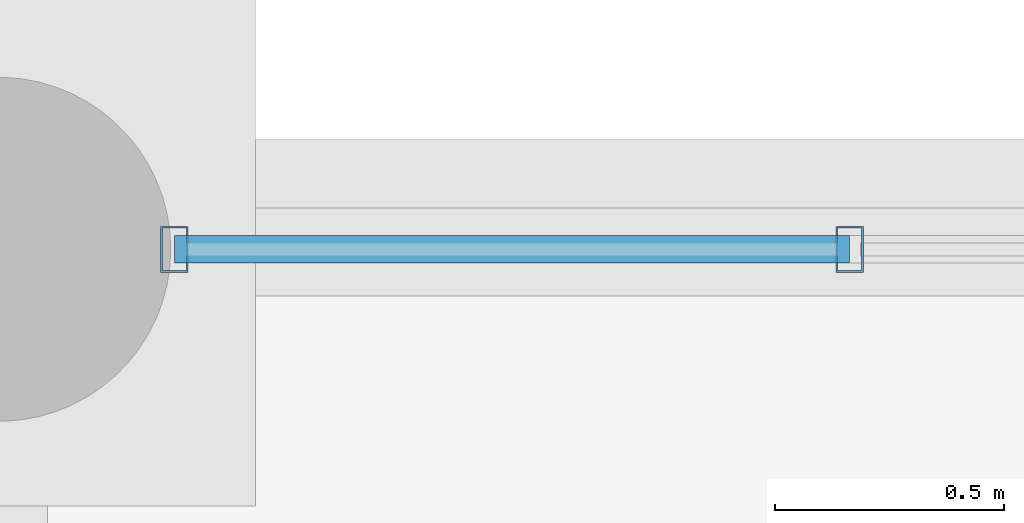
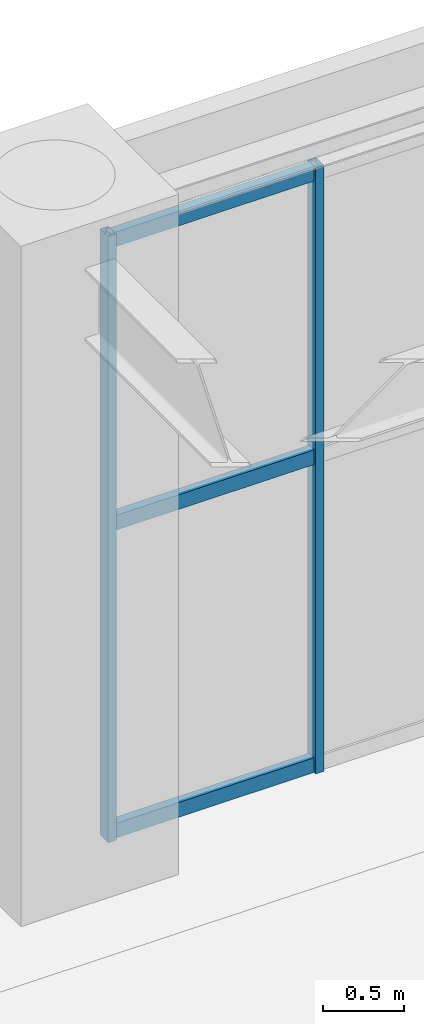
# One storey, part 66 of 174: 5 members, 1 element without a shape of its own.
"""IFC4 building model written with IfcOpenShell, lengths in metres."""

import ifcopenshell
import ifcopenshell.guid

model = None  # the IFC model being written
_history = None  # IfcOwnerHistory: only IFC2X3 demands one
_inside = {}  # id of a spatial element -> (the spatial element, [elements in it])
_under = {}  # id of a project, library or spatial element -> (it, [spatial elements below it])
_declared = {}  # id of a project -> (the project, [libraries it declares])
_typed = {}  # id of a type object -> (the type object, [elements of that type])
_made_of = {}  # id of a material, layer set ... -> (it, [elements and type objects made of it])


def new_model(schema):
    """Start an empty IFC model of exactly this schema.

    Asked for "IFC4X3", IfcOpenShell would pick the latest addendum, in which some entities
    have other attributes; the version numbers below select the first issue.
    IFC2X3 requires an IfcOwnerHistory on every rooted entity: one is made here for all.
    """
    global model, _history
    if schema == "IFC4X3":
        model = ifcopenshell.file(schema_version=(4, 3, 0, 0))
    else:
        model = ifcopenshell.file(schema=schema)
    _inside.clear()
    _under.clear()
    _declared.clear()
    _typed.clear()
    _made_of.clear()
    _history = None
    if model.schema == "IFC2X3":
        org = make("IfcOrganization", Name="unknown")
        user = make(
            "IfcPersonAndOrganization",
            ThePerson=make("IfcPerson", FamilyName="unknown"),
            TheOrganization=org,
        )
        app = make(
            "IfcApplication",
            ApplicationDeveloper=org,
            Version="unknown",
            ApplicationFullName="unknown",
            ApplicationIdentifier="unknown",
        )
        _history = make(
            "IfcOwnerHistory",
            OwningUser=user,
            OwningApplication=app,
            ChangeAction="ADDED",
            CreationDate=0,
        )
    return model


def make(cls, **values):
    """One entity of the class cls with the attributes given. An attribute that is None is left unset."""
    return model.create_entity(
        cls, **{name: value for name, value in values.items() if value is not None}
    )


def rooted(cls, **values):
    """An entity with a GlobalId (a new one), such as an element, a storey or a relation."""
    return make(cls, GlobalId=ifcopenshell.guid.new(), OwnerHistory=_history, **values)


def si_unit(unit_type, name, prefix=None):
    """IfcSIUnit, for example si_unit("LENGTHUNIT", "METRE", prefix="MILLI")."""
    return make("IfcSIUnit", UnitType=unit_type, Prefix=prefix, Name=name)


def assignment(units):
    """IfcUnitAssignment: the units of a project."""
    return None if units is None else make("IfcUnitAssignment", Units=units)


def point(xyz):
    """IfcCartesianPoint."""
    return None if xyz is None else make("IfcCartesianPoint", Coordinates=xyz)


def direction(xyz):
    """IfcDirection."""
    return None if xyz is None else make("IfcDirection", DirectionRatios=xyz)


def frame(location, z_axis=None, x_axis=None):
    """IfcAxis2Placement3D, a coordinate frame: its origin and axes. An axis left out is left unset."""
    return make(
        "IfcAxis2Placement3D",
        Location=point(location),
        Axis=direction(z_axis),
        RefDirection=direction(x_axis),
    )


def frame_2d(location, x_axis=None):
    """IfcAxis2Placement2D, a coordinate frame in the plane: its origin and x axis."""
    return make(
        "IfcAxis2Placement2D", Location=point(location), RefDirection=direction(x_axis)
    )


def origin():
    """The frame at (0, 0, 0) with its axes left unset."""
    return frame((0.0, 0.0, 0.0))


def origin_2d():
    """The frame at (0, 0) in the plane with its x axis left unset."""
    return frame_2d((0.0, 0.0))


def place(relative_to, where):
    """IfcLocalPlacement: puts the frame where relative to a parent placement (None: the world)."""
    return make(
        "IfcLocalPlacement", PlacementRelTo=relative_to, RelativePlacement=where
    )


def context(
    kind, dimensions, precision=None, world=None, true_north=None, identifier=None
):
    """IfcGeometricRepresentationContext, for example the 3D "Model" context."""
    return make(
        "IfcGeometricRepresentationContext",
        ContextIdentifier=identifier,
        ContextType=kind,
        CoordinateSpaceDimension=dimensions,
        Precision=precision,
        WorldCoordinateSystem=world,
        TrueNorth=true_north,
    )


def subcontext(parent, identifier, kind, view, scale=None):
    """IfcGeometricRepresentationSubContext, for example "Body" below "Model"."""
    return make(
        "IfcGeometricRepresentationSubContext",
        ContextIdentifier=identifier,
        ContextType=kind,
        ParentContext=parent,
        TargetScale=scale,
        TargetView=view,
    )


def project(units=None, contexts=None):
    """IfcProject with its units and contexts."""
    return rooted(
        "IfcProject",
        Name="project",
        RepresentationContexts=contexts,
        UnitsInContext=assignment(units),
    )


def spatial(cls, under=None, at=None, **own):
    """A site, building, storey or space (cls), placed at a placement, below another one or the project."""
    s = rooted(cls, ObjectPlacement=at, **own)
    if under is not None:
        _under.setdefault(under.id(), (under, []))[1].append(s)
    return s


def profile(cls, at=None, kind="AREA", **sizes):
    """A parametric profile (cls). Its sizes go by their IFC names, for example OverallWidth=200.0."""
    return make(cls, ProfileType=kind, Position=at, **sizes)


def hollow_rectangle(**sizes):
    """IfcRectangleHollowProfileDef."""
    return profile("IfcRectangleHollowProfileDef", **sizes)


def extrude(swept, where, along, depth):
    """IfcExtrudedAreaSolid: the profile swept, set in the frame where, extruded along a direction by depth."""
    return make(
        "IfcExtrudedAreaSolid",
        SweptArea=swept,
        Position=where,
        ExtrudedDirection=direction(along),
        Depth=depth,
    )


def shape(context_of_items, identifier, shape_type, items):
    """IfcShapeRepresentation: the items that make up one representation, for example the "Body"."""
    return make(
        "IfcShapeRepresentation",
        ContextOfItems=context_of_items,
        RepresentationIdentifier=identifier,
        RepresentationType=shape_type,
        Items=items,
    )


def material(Name=None, Category=None):
    """IfcMaterial."""
    return make("IfcMaterial", Name=Name, Category=Category)


def material_profile(
    of_material, cross_section, Name=None, Category=None, Priority=None
):
    """IfcMaterialProfile: a cross section and its material."""
    return make(
        "IfcMaterialProfile",
        Name=Name,
        Material=of_material,
        Profile=cross_section,
        Priority=Priority,
        Category=Category,
    )


def profile_set(profiles, Name=None, composite=None):
    """IfcMaterialProfileSet."""
    return make(
        "IfcMaterialProfileSet",
        Name=Name,
        MaterialProfiles=profiles,
        CompositeProfile=composite,
    )


def made_of(thing, what):
    """Note that an element or type object is made of a material, layer set ...; save() writes the relation."""
    if what is not None:
        _made_of.setdefault(what.id(), (what, []))[1].append(thing)
    return thing


def type_object(cls, material=None, **own):
    """A type object (cls), such as IfcWallType, which elements share."""
    return made_of(rooted(cls, **own), material)


def element(
    cls,
    number,
    at=None,
    inside=None,
    cuts=None,
    type_object=None,
    material=None,
    context=None,
    identifier="Body",
    shape_type=None,
    held_by="IfcProductDefinitionShape",
    body=None,
    shapes=None,
    **own,
):
    """One element of the class cls, such as IfcWall. Its Tag is "e" and its number.

    at: its placement. inside: the storey or other place that contains it. cuts: it is an
    opening in that element (IfcRelVoidsElement). A single representation is given by context,
    identifier, shape_type and body (its items); several are given by shapes. held_by: the class
    of the entity that holds the representations. save() writes the other relations.
    """
    e = rooted(cls, Tag="e%d" % number, ObjectPlacement=at, **own)
    if body is not None:
        shapes = [shape(context, identifier, shape_type, body)]
    if shapes is not None:
        e.Representation = make(held_by, Representations=shapes)
    if inside is not None:
        _inside.setdefault(inside.id(), (inside, []))[1].append(e)
    if cuts is not None:
        rooted(
            "IfcRelVoidsElement", RelatingBuildingElement=cuts, RelatedOpeningElement=e
        )
    if type_object is not None:
        _typed.setdefault(type_object.id(), (type_object, []))[1].append(e)
    return made_of(e, material)


def aggregate(whole, parts):
    """IfcRelAggregates: a whole, such as a stair, and the parts it consists of."""
    return rooted("IfcRelAggregates", RelatingObject=whole, RelatedObjects=parts)


def save(model, path):
    """Write the relations noted so far, then the file.

    IfcRelAggregates (storeys below a building ...), IfcRelContainedInSpatialStructure (elements
    in a storey), IfcRelDefinesByType, IfcRelAssociatesMaterial and IfcRelDeclares: one each for
    every whole, place, type object, material and project.
    """
    for whole, parts in _under.values():
        aggregate(whole, parts)
    for where, things in _inside.values():
        rooted(
            "IfcRelContainedInSpatialStructure",
            RelatedElements=things,
            RelatingStructure=where,
        )
    for kind, things in _typed.values():
        rooted("IfcRelDefinesByType", RelatedObjects=things, RelatingType=kind)
    for what, things in _made_of.values():
        rooted("IfcRelAssociatesMaterial", RelatedObjects=things, RelatingMaterial=what)
    for by, libraries in _declared.values():
        rooted("IfcRelDeclares", RelatingContext=by, RelatedDefinitions=libraries)
    model.write(path)


model = new_model("IFC4")

# Units and contexts
model_context = context("Model", 3, precision=1e-05, world=origin(), true_north=direction((0.0, 1.0)))
body_context = subcontext(model_context, "Body", "Model", "MODEL_VIEW")
ifc_project = project(units=[si_unit("LENGTHUNIT", "METRE"), si_unit("AREAUNIT", "SQUARE_METRE"), si_unit("VOLUMEUNIT", "CUBIC_METRE"), si_unit("PLANEANGLEUNIT", "RADIAN"), si_unit("MASSUNIT", "GRAM", prefix="KILO")], contexts=[model_context])

# Site, building, storey
site_placement = place(None, origin())
site = spatial("IfcSite", under=ifc_project, at=site_placement, CompositionType="ELEMENT")
building_placement = place(site_placement, origin())
building = spatial("IfcBuilding", under=site, at=building_placement, Name="Mavantir Sound Aquarium", CompositionType="ELEMENT")
storey_placement = place(building_placement, frame((0.0, 0.0, 5.39990234375)))
storey = spatial("IfcBuildingStorey", under=building, at=storey_placement, Name="L01", CompositionType="ELEMENT", Elevation=5.39990234375)

# Curtain wall, members
ifc_material_1 = material(Name="Anodised Marine Aluminium and Low-E Glass", Category="aluminium")
curtain_wall_type = type_object("IfcCurtainWallType", Name="CW-T11", PredefinedType="USERDEFINED", material=ifc_material_1)
curtain_wall_placement = place(storey_placement, origin())
curtain_wall = element("IfcCurtainWall", 1, at=curtain_wall_placement, inside=storey, type_object=curtain_wall_type, Name="L01 unitised curtain wall CW-11 59", ObjectType="UNITISED GLAZING", PredefinedType="USERDEFINED")
ifc_material_2 = material(Name="Anodised Marine Aluminium 6063-T6", Category="aluminium")
ifc_material_profile_1 = material_profile(ifc_material_2, hollow_rectangle(XDim=0.06005859375, YDim=0.10009765625, WallThickness=0.00390625, at=origin_2d()), Name="ALU-MULLION-100X60")
ifc_profile_set_1 = profile_set([ifc_material_profile_1], Name="Anodised Marine Aluminium 6063-T6")
member_type_1 = type_object("IfcMemberType", Name="CW-MUL-100", PredefinedType="MULLION", material=ifc_profile_set_1)
member_1_placement = place(storey_placement, frame((47.455322265625, 69.60009765625, 0.0), z_axis=(0.0, 0.0, 1.0), x_axis=(1.0, 0.0, 0.0)))
member_1 = element("IfcMember", 2, at=member_1_placement, type_object=member_type_1, Name="CW-L01-059 vertical mullion 6", PredefinedType="MULLION", context=body_context, shape_type="SweptSolid", body=[
    extrude(hollow_rectangle(XDim=0.06005859375, YDim=0.10009765625, WallThickness=0.00390625, at=origin_2d()), origin(), (0.0, 0.0, 1.0), 4.543212890625),
])
member_2_placement = place(storey_placement, frame((45.98291015625, 69.60009765625, 0.0), z_axis=(0.0, 0.0, 1.0), x_axis=(1.0, 0.0, 0.0)))
member_2 = element("IfcMember", 3, at=member_2_placement, type_object=member_type_1, Name="CW-L01-059 vertical mullion 7", PredefinedType="MULLION", context=body_context, shape_type="SweptSolid", body=[
    extrude(hollow_rectangle(XDim=0.06005859375, YDim=0.10009765625, WallThickness=0.00390625, at=origin_2d()), origin(), (0.0, 0.0, 1.0), 4.543212890625),
])
ifc_material_profile_2 = material_profile(ifc_material_2, hollow_rectangle(XDim=0.06005859375, YDim=0.110107421875, WallThickness=0.00390625, at=origin_2d()), Name="ALU-TRANSOM-110X60")
ifc_profile_set_2 = profile_set([ifc_material_profile_2], Name="Anodised Marine Aluminium 6063-T6")
member_type_2 = type_object("IfcMemberType", Name="CW-TRN-110", PredefinedType="USERDEFINED", material=ifc_profile_set_2)
member_3_placement = place(storey_placement, frame((47.455322265625, 69.60009765625, 0.05517578125), z_axis=(-1.0, 0.0, 0.0), x_axis=(0.0, -1.0, 0.0)))
member_3 = element("IfcMember", 4, at=member_3_placement, type_object=member_type_2, Name="CW-L01-059 transom 6.1", ObjectType="TRANSOM", PredefinedType="USERDEFINED", context=body_context, shape_type="SweptSolid", body=[
    extrude(hollow_rectangle(XDim=0.06005859375, YDim=0.110107421875, WallThickness=0.00390625, at=origin_2d()), origin(), (0.0, 0.0, 1.0), 1.472412109375),
])
member_4_placement = place(storey_placement, frame((47.455322265625, 69.60009765625, 2.362548828125), z_axis=(-1.0, 0.0, 0.0), x_axis=(0.0, -1.0, 0.0)))
member_4 = element("IfcMember", 5, at=member_4_placement, type_object=member_type_2, Name="CW-L01-059 transom 6.2", ObjectType="TRANSOM", PredefinedType="USERDEFINED", context=body_context, shape_type="SweptSolid", body=[
    extrude(hollow_rectangle(XDim=0.06005859375, YDim=0.110107421875, WallThickness=0.00390625, at=origin_2d()), origin(), (0.0, 0.0, 1.0), 1.472412109375),
])
member_5_placement = place(storey_placement, frame((47.455322265625, 69.60009765625, 4.488037109375), z_axis=(-1.0, 0.0, 0.0), x_axis=(0.0, -1.0, 0.0)))
member_5 = element("IfcMember", 6, at=member_5_placement, type_object=member_type_2, Name="CW-L01-059 transom 6.3", ObjectType="TRANSOM", PredefinedType="USERDEFINED", context=body_context, shape_type="SweptSolid", body=[
    extrude(hollow_rectangle(XDim=0.06005859375, YDim=0.110107421875, WallThickness=0.00390625, at=origin_2d()), origin(), (0.0, 0.0, 1.0), 1.472412109375),
])
aggregate(curtain_wall, [member_1, member_2, member_3, member_4, member_5])

save(model, "model.ifc")
